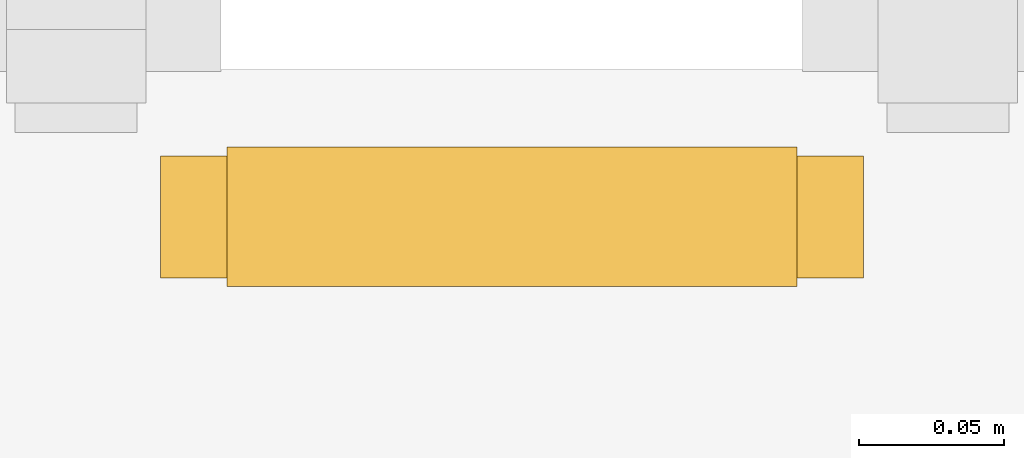
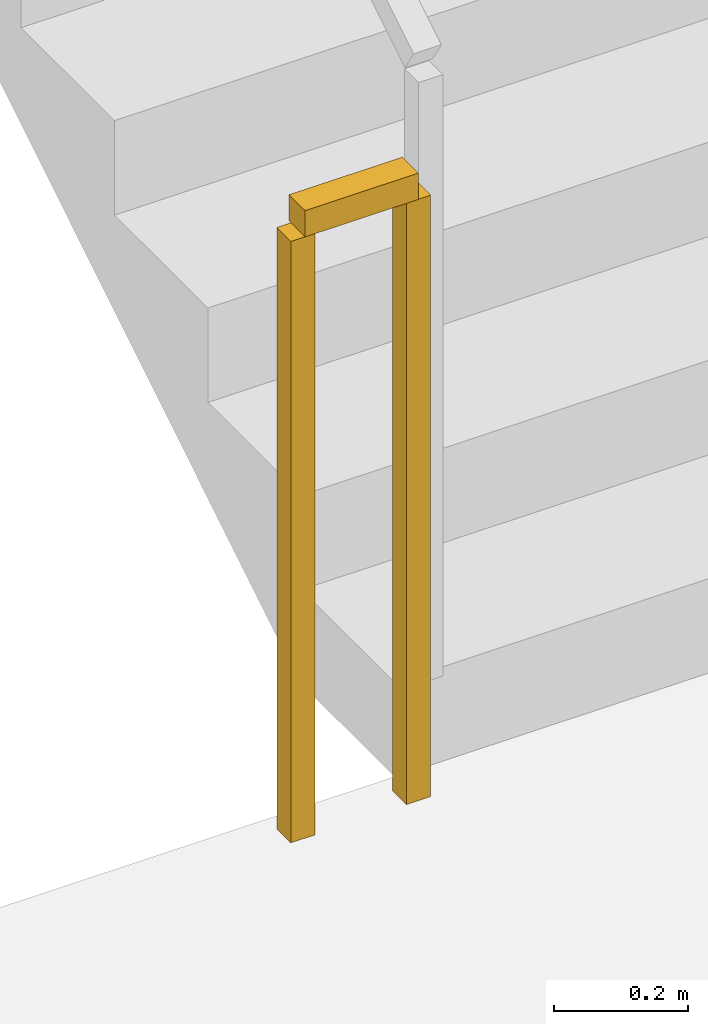
# One storey, part 30 of 33: 1 railing.
"""IFC4 building model written with IfcOpenShell, lengths in metres."""

from ifc_helpers import new_model, si_unit, direction, frame, origin, origin_2d, place, context, subcontext, project, spatial, rectangle, extrude, material, type_object, element, save


model = new_model("IFC4")

# Units and contexts
model_context = context("Model", 3, precision=1e-05, world=origin(), true_north=direction((0.0, 1.0)))
body_context = subcontext(model_context, "Body", "Model", "MODEL_VIEW")
ifc_project = project(units=[si_unit("LENGTHUNIT", "METRE"), si_unit("AREAUNIT", "SQUARE_METRE"), si_unit("VOLUMEUNIT", "CUBIC_METRE"), si_unit("PLANEANGLEUNIT", "RADIAN"), si_unit("MASSUNIT", "GRAM", prefix="KILO")], contexts=[model_context])

# Site, building, storey
site_placement = place(None, origin())
site = spatial("IfcSite", under=ifc_project, at=site_placement, CompositionType="ELEMENT")
building_placement = place(site_placement, origin())
building = spatial("IfcBuilding", under=site, at=building_placement, Name="Zuhravey Tower", CompositionType="ELEMENT")
storey_placement = place(building_placement, frame((0.0, 0.0, 126.60009765625)))
storey = spatial("IfcBuildingStorey", under=building, at=storey_placement, Name="L31", CompositionType="ELEMENT", Elevation=126.60009765625)

# Railing
ifc_material = material(Name="Painted tubular steel", Category="steel")
railing_type = type_object("IfcRailingType", Name="Stair Well Guardrail 1150", PredefinedType="GUARDRAIL", material=ifc_material)
railing_placement = place(storey_placement, frame((28.0, 33.14990234375, 0.0)))
element("IfcRailing", 1, at=railing_placement, inside=storey, type_object=railing_type, Name="L31 ST1 stair guard 4", PredefinedType="GUARDRAIL", context=body_context, shape_type="SweptSolid", body=[
    extrude(rectangle(XDim=0.048095703125, YDim=0.048095703125, at=origin_2d()), frame((-0.001953125, 0.0, 1.1259765625), z_axis=(-1.0, 0.0, 0.0), x_axis=(0.0, -1.0, 0.0)), (0.0, 0.0, 1.0), 0.196044921875),
    extrude(rectangle(XDim=0.0419921875, YDim=0.0419921875, at=origin_2d()), origin(), (0.0, 0.0, 1.0), 1.099853515625),
    extrude(rectangle(XDim=0.0419921875, YDim=0.0419921875, at=origin_2d()), frame((-0.199951171875, 0.0, 0.0)), (0.0, 0.0, 1.0), 1.099853515625),
])

save(model, "model.ifc")
